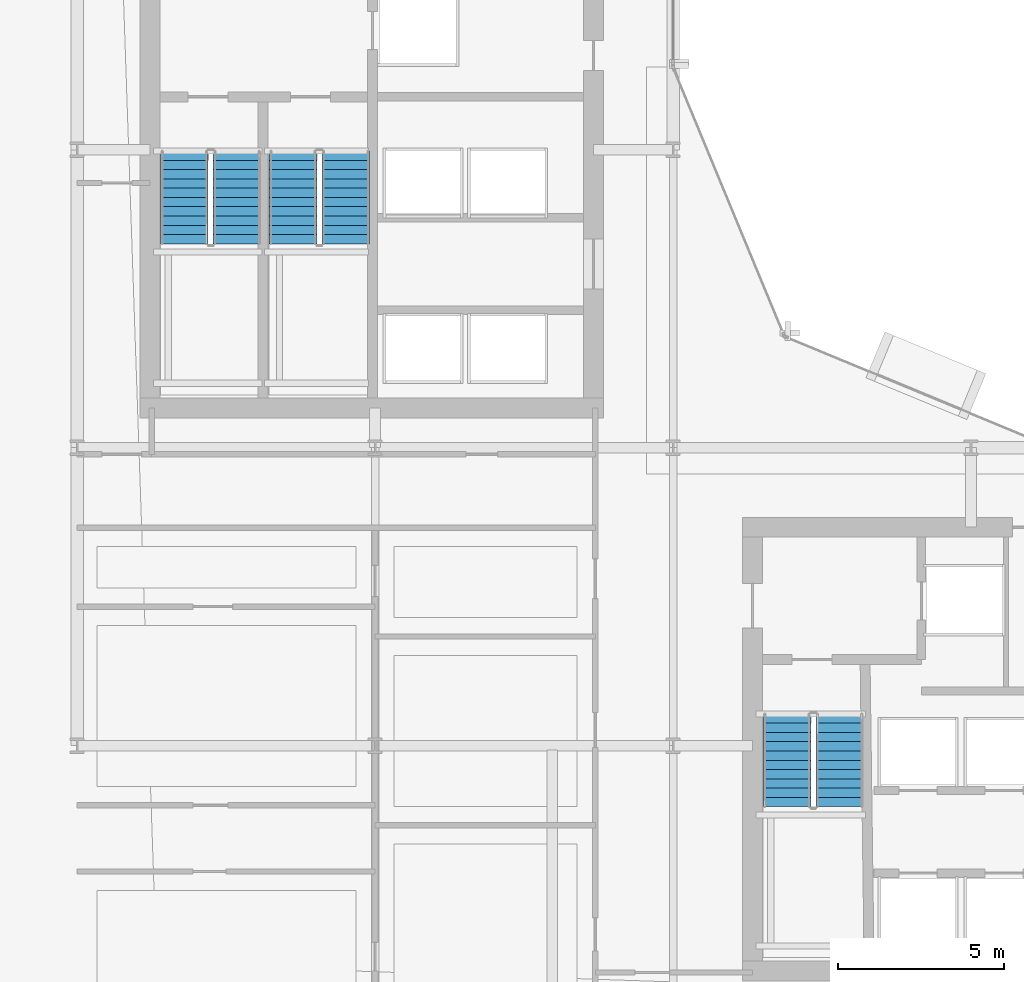
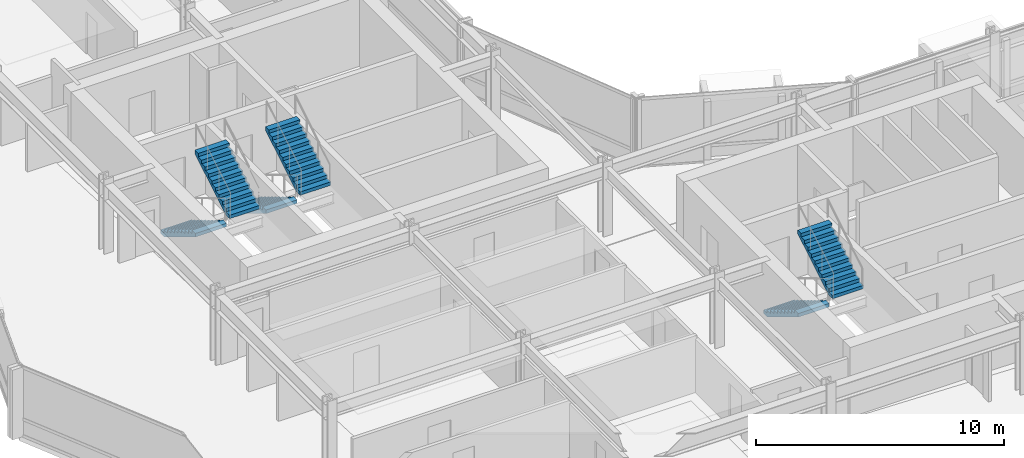
# One storey, part 29 of 34: 6 stair flights, 3 elements without a shape of their own.
"""IFC4 building model written with IfcOpenShell, lengths in metres."""

from ifc_helpers import new_model, si_unit, direction, frame, origin, place, context, subcontext, project, spatial, polyline, outline, extrude, material, layer, layer_set, type_object, element, aggregate, save


model = new_model("IFC4")

# Units and contexts
model_context = context("Model", 3, precision=1e-05, world=origin(), true_north=direction((0.0, 1.0)))
body_context = subcontext(model_context, "Body", "Model", "MODEL_VIEW")
ifc_project = project(units=[si_unit("LENGTHUNIT", "METRE"), si_unit("AREAUNIT", "SQUARE_METRE"), si_unit("VOLUMEUNIT", "CUBIC_METRE"), si_unit("PLANEANGLEUNIT", "RADIAN"), si_unit("MASSUNIT", "GRAM", prefix="KILO")], contexts=[model_context])

# Site, building, storey
site_placement = place(None, origin())
site = spatial("IfcSite", under=ifc_project, at=site_placement, CompositionType="ELEMENT")
building_placement = place(site_placement, origin())
building = spatial("IfcBuilding", under=site, at=building_placement, Name="Solvaryn Broadcast Tower", CompositionType="ELEMENT")
storey_placement = place(building_placement, frame((0.0, 0.0, 89.10009765625)))
storey = spatial("IfcBuildingStorey", under=building, at=storey_placement, Name="L21", CompositionType="ELEMENT", Elevation=89.10009765625)

# Stair, stair flights
ifc_material_1 = material(Name="Concrete f'c 60 MPa", Category="concrete")
stair_type = type_object("IfcStairType", Name="ST-CORE", PredefinedType="HALF_TURN_STAIR", material=ifc_material_1)
stair_1_placement = place(storey_placement, origin())
stair_1 = element("IfcStair", 1, at=stair_1_placement, inside=storey, type_object=stair_type, Name="L21 ST1", PredefinedType="HALF_TURN_STAIR")
ifc_material_2 = material(Name="Concrete f'c 60 MPa", Category="concrete")
ifc_layer = layer(ifc_material_2, 0.159912109375)
ifc_layer_set = layer_set([ifc_layer], Name="SF-CORE")
stair_flight_type = type_object("IfcStairFlightType", Name="SF-CORE", PredefinedType="STRAIGHT", material=ifc_layer_set)
stair_flight_1_placement = place(storey_placement, frame((12.239990234375, 35.9599609375, 0.0), z_axis=(0.0, 0.0, 1.0), x_axis=(0.0, -1.0, 0.0)))
stair_flight_1 = element("IfcStairFlight", 2, at=stair_flight_1_placement, type_object=stair_flight_type, Name="ST1 flight 1", NumberOfRisers=11, NumberOfTreads=10, PredefinedType="STRAIGHT", RiserHeight=0.168181818, TreadLength=0.28, context=body_context, shape_type="SweptSolid", body=[
    extrude(outline(polyline([(0.0, 0.0), (0.0, 0.168212890625), (0.280029296875, 0.168212890625), (0.280029296875, 0.33642578125), (0.56005859375, 0.33642578125), (0.56005859375, 0.504638671875), (0.840087890625, 0.504638671875), (0.840087890625, 0.672607421875), (1.1201171875, 0.672607421875), (1.1201171875, 0.8408203125), (1.39990234375, 0.8408203125), (1.39990234375, 1.009033203125), (1.679931640625, 1.009033203125), (1.679931640625, 1.17724609375), (1.9599609375, 1.17724609375), (1.9599609375, 1.345458984375), (2.239990234375, 1.345458984375), (2.239990234375, 1.513671875), (2.52001953125, 1.513671875), (2.52001953125, 1.681884765625), (2.800048828125, 1.681884765625), (2.800048828125, 1.85009765625), (2.800048828125, 1.5068359375), (0.291015625, 0.0), (0.0, 0.0)])), frame((0.0, 0.719970703125, 0.0), z_axis=(0.0, -1.0, 0.0), x_axis=(1.0, 0.0, 0.0)), (0.0, 0.0, 1.0), 1.43994140625),
])
stair_flight_2_placement = place(storey_placement, frame((13.830078125, 33.159912109375, 1.849853515625), z_axis=(0.0, 0.0, 1.0), x_axis=(0.0, 1.0, 0.0)))
stair_flight_2 = element("IfcStairFlight", 3, at=stair_flight_2_placement, type_object=stair_flight_type, Name="ST1 flight 2", NumberOfRisers=11, NumberOfTreads=10, PredefinedType="STRAIGHT", RiserHeight=0.168181818, TreadLength=0.28, context=body_context, shape_type="SweptSolid", body=[
    extrude(outline(polyline([(0.0, 0.0), (0.0, 0.168212890625), (0.280029296875, 0.168212890625), (0.280029296875, 0.33642578125), (0.56005859375, 0.33642578125), (0.56005859375, 0.504638671875), (0.840087890625, 0.504638671875), (0.840087890625, 0.672607421875), (1.1201171875, 0.672607421875), (1.1201171875, 0.8408203125), (1.39990234375, 0.8408203125), (1.39990234375, 1.009033203125), (1.679931640625, 1.009033203125), (1.679931640625, 1.17724609375), (1.9599609375, 1.17724609375), (1.9599609375, 1.345458984375), (2.239990234375, 1.345458984375), (2.239990234375, 1.513671875), (2.52001953125, 1.513671875), (2.52001953125, 1.681884765625), (2.800048828125, 1.681884765625), (2.800048828125, 1.85009765625), (2.800048828125, 1.5068359375), (0.291015625, 0.0), (0.0, 0.0)])), frame((0.0, 0.719970703125, 0.0), z_axis=(0.0, -1.0, 0.0), x_axis=(1.0, 0.0, 0.0)), (0.0, 0.0, 1.0), 1.43994140625),
])
aggregate(stair_1, [stair_flight_1, stair_flight_2])

stair_2_placement = place(storey_placement, origin())
stair_2 = element("IfcStair", 4, at=stair_2_placement, inside=storey, type_object=stair_type, Name="L21 ST2", PredefinedType="HALF_TURN_STAIR")
stair_flight_3_placement = place(storey_placement, frame((15.52001953125, 35.9599609375, 0.0), z_axis=(0.0, 0.0, 1.0), x_axis=(0.0, -1.0, 0.0)))
stair_flight_3 = element("IfcStairFlight", 5, at=stair_flight_3_placement, type_object=stair_flight_type, Name="ST2 flight 1", NumberOfRisers=11, NumberOfTreads=10, PredefinedType="STRAIGHT", RiserHeight=0.168181818, TreadLength=0.28, context=body_context, shape_type="SweptSolid", body=[
    extrude(outline(polyline([(0.0, 0.0), (0.0, 0.168212890625), (0.280029296875, 0.168212890625), (0.280029296875, 0.33642578125), (0.56005859375, 0.33642578125), (0.56005859375, 0.504638671875), (0.840087890625, 0.504638671875), (0.840087890625, 0.672607421875), (1.1201171875, 0.672607421875), (1.1201171875, 0.8408203125), (1.39990234375, 0.8408203125), (1.39990234375, 1.009033203125), (1.679931640625, 1.009033203125), (1.679931640625, 1.17724609375), (1.9599609375, 1.17724609375), (1.9599609375, 1.345458984375), (2.239990234375, 1.345458984375), (2.239990234375, 1.513671875), (2.52001953125, 1.513671875), (2.52001953125, 1.681884765625), (2.800048828125, 1.681884765625), (2.800048828125, 1.85009765625), (2.800048828125, 1.5068359375), (0.291015625, 0.0), (0.0, 0.0)])), frame((0.0, 0.719970703125, 0.0), z_axis=(0.0, -1.0, 0.0), x_axis=(1.0, 0.0, 0.0)), (0.0, 0.0, 1.0), 1.43994140625),
])
stair_flight_4_placement = place(storey_placement, frame((17.110107421875, 33.159912109375, 1.849853515625), z_axis=(0.0, 0.0, 1.0), x_axis=(0.0, 1.0, 0.0)))
stair_flight_4 = element("IfcStairFlight", 6, at=stair_flight_4_placement, type_object=stair_flight_type, Name="ST2 flight 2", NumberOfRisers=11, NumberOfTreads=10, PredefinedType="STRAIGHT", RiserHeight=0.168181818, TreadLength=0.28, context=body_context, shape_type="SweptSolid", body=[
    extrude(outline(polyline([(0.0, 0.0), (0.0, 0.168212890625), (0.280029296875, 0.168212890625), (0.280029296875, 0.33642578125), (0.56005859375, 0.33642578125), (0.56005859375, 0.504638671875), (0.840087890625, 0.504638671875), (0.840087890625, 0.672607421875), (1.1201171875, 0.672607421875), (1.1201171875, 0.8408203125), (1.39990234375, 0.8408203125), (1.39990234375, 1.009033203125), (1.679931640625, 1.009033203125), (1.679931640625, 1.17724609375), (1.9599609375, 1.17724609375), (1.9599609375, 1.345458984375), (2.239990234375, 1.345458984375), (2.239990234375, 1.513671875), (2.52001953125, 1.513671875), (2.52001953125, 1.681884765625), (2.800048828125, 1.681884765625), (2.800048828125, 1.85009765625), (2.800048828125, 1.5068359375), (0.291015625, 0.0), (0.0, 0.0)])), frame((0.0, 0.719970703125, 0.0), z_axis=(0.0, -1.0, 0.0), x_axis=(1.0, 0.0, 0.0)), (0.0, 0.0, 1.0), 1.43994140625),
])
aggregate(stair_2, [stair_flight_3, stair_flight_4])

stair_3_placement = place(storey_placement, origin())
stair_3 = element("IfcStair", 7, at=stair_3_placement, inside=storey, type_object=stair_type, Name="L21 ST3", PredefinedType="HALF_TURN_STAIR")
stair_flight_5_placement = place(storey_placement, frame((30.43994140625, 18.9599609375, 0.0), z_axis=(0.0, 0.0, 1.0), x_axis=(0.0, -1.0, 0.0)))
stair_flight_5 = element("IfcStairFlight", 8, at=stair_flight_5_placement, type_object=stair_flight_type, Name="ST3 flight 1", NumberOfRisers=11, NumberOfTreads=10, PredefinedType="STRAIGHT", RiserHeight=0.168181818, TreadLength=0.28, context=body_context, shape_type="SweptSolid", body=[
    extrude(outline(polyline([(0.0, 0.0), (0.0, 0.168212890625), (0.280029296875, 0.168212890625), (0.280029296875, 0.33642578125), (0.56005859375, 0.33642578125), (0.56005859375, 0.504638671875), (0.840087890625, 0.504638671875), (0.840087890625, 0.672607421875), (1.1201171875, 0.672607421875), (1.1201171875, 0.8408203125), (1.39990234375, 0.8408203125), (1.39990234375, 1.009033203125), (1.679931640625, 1.009033203125), (1.679931640625, 1.17724609375), (1.9599609375, 1.17724609375), (1.9599609375, 1.345458984375), (2.239990234375, 1.345458984375), (2.239990234375, 1.513671875), (2.52001953125, 1.513671875), (2.52001953125, 1.681884765625), (2.800048828125, 1.681884765625), (2.800048828125, 1.85009765625), (2.800048828125, 1.5068359375), (0.291015625, 0.0), (0.0, 0.0)])), frame((0.0, 0.719970703125, 0.0), z_axis=(0.0, -1.0, 0.0), x_axis=(1.0, 0.0, 0.0)), (0.0, 0.0, 1.0), 1.43994140625),
])
stair_flight_6_placement = place(storey_placement, frame((32.030029296875, 16.159912109375, 1.849853515625), z_axis=(0.0, 0.0, 1.0), x_axis=(0.0, 1.0, 0.0)))
stair_flight_6 = element("IfcStairFlight", 9, at=stair_flight_6_placement, type_object=stair_flight_type, Name="ST3 flight 2", NumberOfRisers=11, NumberOfTreads=10, PredefinedType="STRAIGHT", RiserHeight=0.168181818, TreadLength=0.28, context=body_context, shape_type="SweptSolid", body=[
    extrude(outline(polyline([(0.0, 0.0), (0.0, 0.168212890625), (0.280029296875, 0.168212890625), (0.280029296875, 0.33642578125), (0.56005859375, 0.33642578125), (0.56005859375, 0.504638671875), (0.840087890625, 0.504638671875), (0.840087890625, 0.672607421875), (1.1201171875, 0.672607421875), (1.1201171875, 0.8408203125), (1.39990234375, 0.8408203125), (1.39990234375, 1.009033203125), (1.679931640625, 1.009033203125), (1.679931640625, 1.17724609375), (1.9599609375, 1.17724609375), (1.9599609375, 1.345458984375), (2.239990234375, 1.345458984375), (2.239990234375, 1.513671875), (2.52001953125, 1.513671875), (2.52001953125, 1.681884765625), (2.800048828125, 1.681884765625), (2.800048828125, 1.85009765625), (2.800048828125, 1.5068359375), (0.291015625, 0.0), (0.0, 0.0)])), frame((0.0, 0.719970703125, 0.0), z_axis=(0.0, -1.0, 0.0), x_axis=(1.0, 0.0, 0.0)), (0.0, 0.0, 1.0), 1.43994140625),
])
aggregate(stair_3, [stair_flight_5, stair_flight_6])

save(model, "model.ifc")
